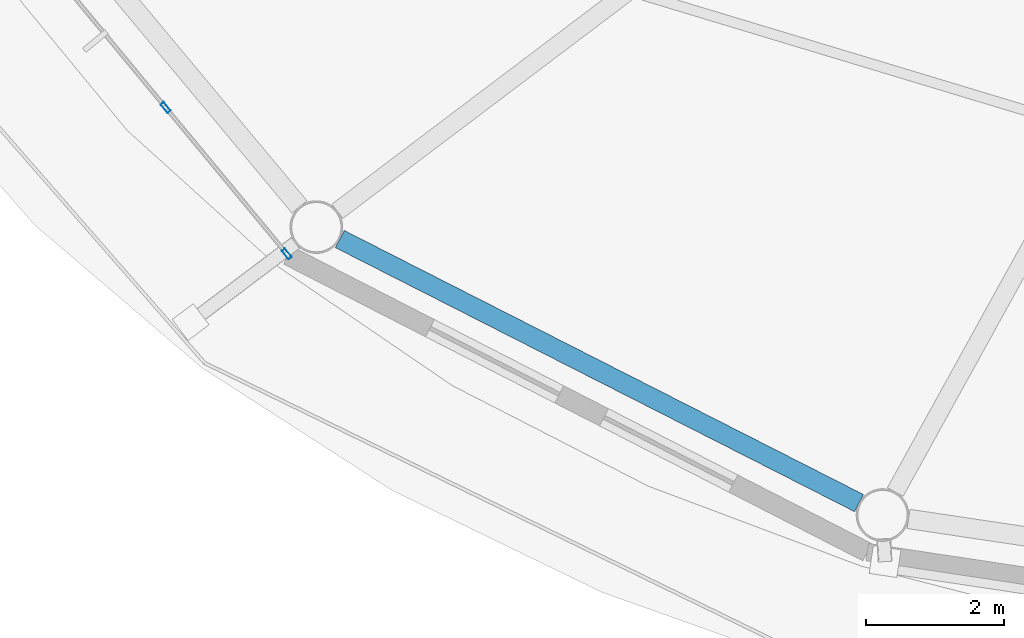
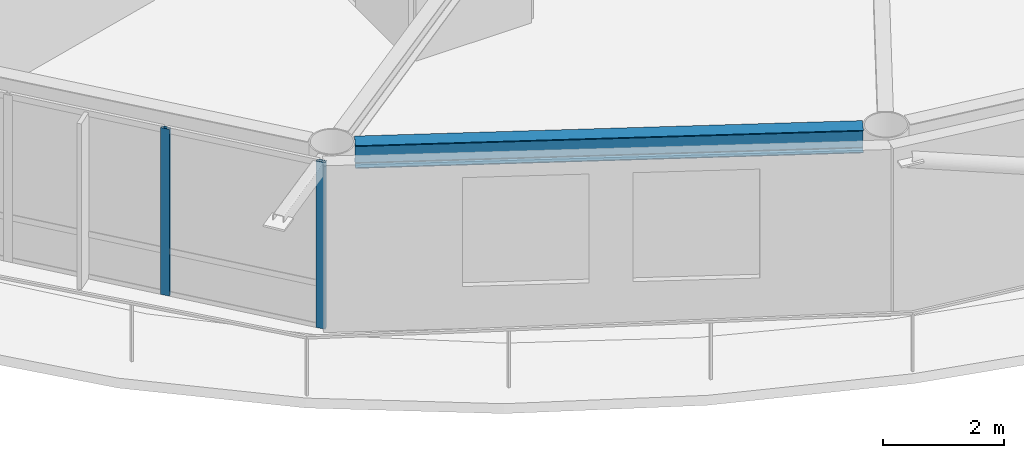
# One storey, part 2 of 23: 2 members, 1 beam, 1 element without a shape of its own.
"""IFC4 building model written with IfcOpenShell, lengths in metres."""

import ifcopenshell
import ifcopenshell.guid

model = None  # the IFC model being written
_history = None  # IfcOwnerHistory: only IFC2X3 demands one
_inside = {}  # id of a spatial element -> (the spatial element, [elements in it])
_under = {}  # id of a project, library or spatial element -> (it, [spatial elements below it])
_declared = {}  # id of a project -> (the project, [libraries it declares])
_typed = {}  # id of a type object -> (the type object, [elements of that type])
_made_of = {}  # id of a material, layer set ... -> (it, [elements and type objects made of it])


def new_model(schema):
    """Start an empty IFC model of exactly this schema.

    Asked for "IFC4X3", IfcOpenShell would pick the latest addendum, in which some entities
    have other attributes; the version numbers below select the first issue.
    IFC2X3 requires an IfcOwnerHistory on every rooted entity: one is made here for all.
    """
    global model, _history
    if schema == "IFC4X3":
        model = ifcopenshell.file(schema_version=(4, 3, 0, 0))
    else:
        model = ifcopenshell.file(schema=schema)
    _inside.clear()
    _under.clear()
    _declared.clear()
    _typed.clear()
    _made_of.clear()
    _history = None
    if model.schema == "IFC2X3":
        org = make("IfcOrganization", Name="unknown")
        user = make(
            "IfcPersonAndOrganization",
            ThePerson=make("IfcPerson", FamilyName="unknown"),
            TheOrganization=org,
        )
        app = make(
            "IfcApplication",
            ApplicationDeveloper=org,
            Version="unknown",
            ApplicationFullName="unknown",
            ApplicationIdentifier="unknown",
        )
        _history = make(
            "IfcOwnerHistory",
            OwningUser=user,
            OwningApplication=app,
            ChangeAction="ADDED",
            CreationDate=0,
        )
    return model


def make(cls, **values):
    """One entity of the class cls with the attributes given. An attribute that is None is left unset."""
    return model.create_entity(
        cls, **{name: value for name, value in values.items() if value is not None}
    )


def rooted(cls, **values):
    """An entity with a GlobalId (a new one), such as an element, a storey or a relation."""
    return make(cls, GlobalId=ifcopenshell.guid.new(), OwnerHistory=_history, **values)


def si_unit(unit_type, name, prefix=None):
    """IfcSIUnit, for example si_unit("LENGTHUNIT", "METRE", prefix="MILLI")."""
    return make("IfcSIUnit", UnitType=unit_type, Prefix=prefix, Name=name)


def assignment(units):
    """IfcUnitAssignment: the units of a project."""
    return None if units is None else make("IfcUnitAssignment", Units=units)


def point(xyz):
    """IfcCartesianPoint."""
    return None if xyz is None else make("IfcCartesianPoint", Coordinates=xyz)


def direction(xyz):
    """IfcDirection."""
    return None if xyz is None else make("IfcDirection", DirectionRatios=xyz)


def frame(location, z_axis=None, x_axis=None):
    """IfcAxis2Placement3D, a coordinate frame: its origin and axes. An axis left out is left unset."""
    return make(
        "IfcAxis2Placement3D",
        Location=point(location),
        Axis=direction(z_axis),
        RefDirection=direction(x_axis),
    )


def frame_2d(location, x_axis=None):
    """IfcAxis2Placement2D, a coordinate frame in the plane: its origin and x axis."""
    return make(
        "IfcAxis2Placement2D", Location=point(location), RefDirection=direction(x_axis)
    )


def origin():
    """The frame at (0, 0, 0) with its axes left unset."""
    return frame((0.0, 0.0, 0.0))


def origin_2d():
    """The frame at (0, 0) in the plane with its x axis left unset."""
    return frame_2d((0.0, 0.0))


def place(relative_to, where):
    """IfcLocalPlacement: puts the frame where relative to a parent placement (None: the world)."""
    return make(
        "IfcLocalPlacement", PlacementRelTo=relative_to, RelativePlacement=where
    )


def context(
    kind, dimensions, precision=None, world=None, true_north=None, identifier=None
):
    """IfcGeometricRepresentationContext, for example the 3D "Model" context."""
    return make(
        "IfcGeometricRepresentationContext",
        ContextIdentifier=identifier,
        ContextType=kind,
        CoordinateSpaceDimension=dimensions,
        Precision=precision,
        WorldCoordinateSystem=world,
        TrueNorth=true_north,
    )


def subcontext(parent, identifier, kind, view, scale=None):
    """IfcGeometricRepresentationSubContext, for example "Body" below "Model"."""
    return make(
        "IfcGeometricRepresentationSubContext",
        ContextIdentifier=identifier,
        ContextType=kind,
        ParentContext=parent,
        TargetScale=scale,
        TargetView=view,
    )


def project(units=None, contexts=None):
    """IfcProject with its units and contexts."""
    return rooted(
        "IfcProject",
        Name="project",
        RepresentationContexts=contexts,
        UnitsInContext=assignment(units),
    )


def spatial(cls, under=None, at=None, **own):
    """A site, building, storey or space (cls), placed at a placement, below another one or the project."""
    s = rooted(cls, ObjectPlacement=at, **own)
    if under is not None:
        _under.setdefault(under.id(), (under, []))[1].append(s)
    return s


def profile(cls, at=None, kind="AREA", **sizes):
    """A parametric profile (cls). Its sizes go by their IFC names, for example OverallWidth=200.0."""
    return make(cls, ProfileType=kind, Position=at, **sizes)


def hollow_rectangle(**sizes):
    """IfcRectangleHollowProfileDef."""
    return profile("IfcRectangleHollowProfileDef", **sizes)


def i_section(**sizes):
    """IfcIShapeProfileDef."""
    return profile("IfcIShapeProfileDef", **sizes)


def extrude(swept, where, along, depth):
    """IfcExtrudedAreaSolid: the profile swept, set in the frame where, extruded along a direction by depth."""
    return make(
        "IfcExtrudedAreaSolid",
        SweptArea=swept,
        Position=where,
        ExtrudedDirection=direction(along),
        Depth=depth,
    )


def shape(context_of_items, identifier, shape_type, items):
    """IfcShapeRepresentation: the items that make up one representation, for example the "Body"."""
    return make(
        "IfcShapeRepresentation",
        ContextOfItems=context_of_items,
        RepresentationIdentifier=identifier,
        RepresentationType=shape_type,
        Items=items,
    )


def material(Name=None, Category=None):
    """IfcMaterial."""
    return make("IfcMaterial", Name=Name, Category=Category)


def layer(
    of_material, thickness, ventilated=None, Name=None, Category=None, Priority=None
):
    """IfcMaterialLayer: one layer of a wall or slab, of a material (None: an air gap)."""
    return make(
        "IfcMaterialLayer",
        Material=of_material,
        LayerThickness=thickness,
        IsVentilated=ventilated,
        Name=Name,
        Category=Category,
        Priority=Priority,
    )


def layer_set(layers, Name=None):
    """IfcMaterialLayerSet."""
    return make("IfcMaterialLayerSet", MaterialLayers=layers, LayerSetName=Name)


def material_profile(
    of_material, cross_section, Name=None, Category=None, Priority=None
):
    """IfcMaterialProfile: a cross section and its material."""
    return make(
        "IfcMaterialProfile",
        Name=Name,
        Material=of_material,
        Profile=cross_section,
        Priority=Priority,
        Category=Category,
    )


def profile_set(profiles, Name=None, composite=None):
    """IfcMaterialProfileSet."""
    return make(
        "IfcMaterialProfileSet",
        Name=Name,
        MaterialProfiles=profiles,
        CompositeProfile=composite,
    )


def made_of(thing, what):
    """Note that an element or type object is made of a material, layer set ...; save() writes the relation."""
    if what is not None:
        _made_of.setdefault(what.id(), (what, []))[1].append(thing)
    return thing


def type_object(cls, material=None, **own):
    """A type object (cls), such as IfcWallType, which elements share."""
    return made_of(rooted(cls, **own), material)


def element(
    cls,
    number,
    at=None,
    inside=None,
    cuts=None,
    type_object=None,
    material=None,
    context=None,
    identifier="Body",
    shape_type=None,
    held_by="IfcProductDefinitionShape",
    body=None,
    shapes=None,
    **own,
):
    """One element of the class cls, such as IfcWall. Its Tag is "e" and its number.

    at: its placement. inside: the storey or other place that contains it. cuts: it is an
    opening in that element (IfcRelVoidsElement). A single representation is given by context,
    identifier, shape_type and body (its items); several are given by shapes. held_by: the class
    of the entity that holds the representations. save() writes the other relations.
    """
    e = rooted(cls, Tag="e%d" % number, ObjectPlacement=at, **own)
    if body is not None:
        shapes = [shape(context, identifier, shape_type, body)]
    if shapes is not None:
        e.Representation = make(held_by, Representations=shapes)
    if inside is not None:
        _inside.setdefault(inside.id(), (inside, []))[1].append(e)
    if cuts is not None:
        rooted(
            "IfcRelVoidsElement", RelatingBuildingElement=cuts, RelatedOpeningElement=e
        )
    if type_object is not None:
        _typed.setdefault(type_object.id(), (type_object, []))[1].append(e)
    return made_of(e, material)


def aggregate(whole, parts):
    """IfcRelAggregates: a whole, such as a stair, and the parts it consists of."""
    return rooted("IfcRelAggregates", RelatingObject=whole, RelatedObjects=parts)


def save(model, path):
    """Write the relations noted so far, then the file.

    IfcRelAggregates (storeys below a building ...), IfcRelContainedInSpatialStructure (elements
    in a storey), IfcRelDefinesByType, IfcRelAssociatesMaterial and IfcRelDeclares: one each for
    every whole, place, type object, material and project.
    """
    for whole, parts in _under.values():
        aggregate(whole, parts)
    for where, things in _inside.values():
        rooted(
            "IfcRelContainedInSpatialStructure",
            RelatedElements=things,
            RelatingStructure=where,
        )
    for kind, things in _typed.values():
        rooted("IfcRelDefinesByType", RelatedObjects=things, RelatingType=kind)
    for what, things in _made_of.values():
        rooted("IfcRelAssociatesMaterial", RelatedObjects=things, RelatingMaterial=what)
    for by, libraries in _declared.values():
        rooted("IfcRelDeclares", RelatingContext=by, RelatedDefinitions=libraries)
    model.write(path)


model = new_model("IFC4")

# Units and contexts
model_context = context("Model", 3, precision=1e-05, world=origin(), true_north=direction((0.0, 1.0)))
body_context = subcontext(model_context, "Body", "Model", "MODEL_VIEW")
ifc_project = project(units=[si_unit("LENGTHUNIT", "METRE"), si_unit("AREAUNIT", "SQUARE_METRE"), si_unit("VOLUMEUNIT", "CUBIC_METRE"), si_unit("PLANEANGLEUNIT", "RADIAN"), si_unit("MASSUNIT", "GRAM", prefix="KILO")], contexts=[model_context])

# Site, building, storey
site_placement = place(None, origin())
site = spatial("IfcSite", under=ifc_project, at=site_placement, CompositionType="ELEMENT")
building_placement = place(site_placement, origin())
building = spatial("IfcBuilding", under=site, at=building_placement, Name="Sarneth Arch Tower", CompositionType="ELEMENT")
storey_placement = place(building_placement, frame((0.0, 0.0, 269.39990234375)))
storey = spatial("IfcBuildingStorey", under=building, at=storey_placement, Name="L69", CompositionType="ELEMENT", Elevation=269.39990234375)

# Beam
ifc_material_1 = material(Name="Steel S355", Category="steel")
ifc_material_profile_1 = material_profile(ifc_material_1, i_section(OverallWidth=0.280029296875, OverallDepth=0.462890625, WebThickness=0.0107421875, FlangeThickness=0.017333984375, FilletRadius=0.01806640625, at=origin_2d()), Name="W460x113")
ifc_profile_set_1 = profile_set([ifc_material_profile_1], Name="Steel S355")
beam_type = type_object("IfcBeamType", Name="BM-RAD-460A", PredefinedType="BEAM", material=ifc_profile_set_1)
beam_placement = place(storey_placement, frame((30.364501953125, 28.250732421875, 3.138671875), z_axis=(0.891373613492, -0.453269325204, 0.0), x_axis=(0.453269325204, 0.891373613492, 0.0)))
element("IfcBeam", 1, at=beam_placement, inside=storey, type_object=beam_type, Name="L69 Perimeter spandrel beam 11", PredefinedType="BEAM", context=body_context, shape_type="SweptSolid", body=[
    extrude(i_section(OverallWidth=0.280029296875, OverallDepth=0.462890625, WebThickness=0.0107421875, FlangeThickness=0.017333984375, FilletRadius=0.01806640625, at=origin_2d()), origin(), (0.0, 0.0, 1.0), 8.419677734375),
])

# Curtain wall, members
ifc_material_2 = material(Name="Anodised aluminium Type AA25 and solar-control low-e laminated IGU", Category="aluminium")
ifc_layer = layer(ifc_material_2, 0.179931640625)
ifc_layer_set = layer_set([ifc_layer], Name="Anodised aluminium Type AA25 and solar-control low-e laminated IGU")
curtain_wall_type = type_object("IfcCurtainWallType", Name="CW-RES-HIGH", PredefinedType="NOTDEFINED", material=ifc_layer_set)
curtain_wall_placement = place(storey_placement, origin())
curtain_wall = element("IfcCurtainWall", 2, at=curtain_wall_placement, inside=storey, type_object=curtain_wall_type, Name="L69 Unitised curtain wall facet 10", PredefinedType="NOTDEFINED")
ifc_material_3 = material(Name="Anodised Aluminium 6063-T6", Category="aluminium")
ifc_material_profile_2 = material_profile(ifc_material_3, hollow_rectangle(XDim=0.06005859375, YDim=0.159912109375, WallThickness=0.00390625, at=origin_2d()), Name="AL-MULL-160x60x4")
ifc_profile_set_2 = profile_set([ifc_material_profile_2], Name="Anodised Aluminium 6063-T6")
member_type = type_object("IfcMemberType", Name="CW-MULLION", PredefinedType="MULLION", material=ifc_profile_set_2)
member_1_placement = place(storey_placement, frame((27.84716796875, 30.15234375, 0.0), z_axis=(0.0, 0.0, 1.0), x_axis=(0.770359245933, 0.637610094184, 0.0)))
member_1 = element("IfcMember", 3, at=member_1_placement, type_object=member_type, Name="CW-SYS-6 mullion 3", PredefinedType="MULLION", context=body_context, shape_type="SweptSolid", body=[
    extrude(hollow_rectangle(XDim=0.06005859375, YDim=0.159912109375, WallThickness=0.00390625, at=origin_2d()), origin(), (0.0, 0.0, 1.0), 3.3701171875),
])
member_2_placement = place(storey_placement, frame((29.598388671875, 28.03662109375, 0.0), z_axis=(0.0, 0.0, 1.0), x_axis=(0.770359245933, 0.637610094184, 0.0)))
member_2 = element("IfcMember", 4, at=member_2_placement, type_object=member_type, Name="CW-SYS-6 mullion 4", PredefinedType="MULLION", context=body_context, shape_type="SweptSolid", body=[
    extrude(hollow_rectangle(XDim=0.06005859375, YDim=0.159912109375, WallThickness=0.00390625, at=origin_2d()), origin(), (0.0, 0.0, 1.0), 3.3701171875),
])
aggregate(curtain_wall, [member_1, member_2])

save(model, "model.ifc")
